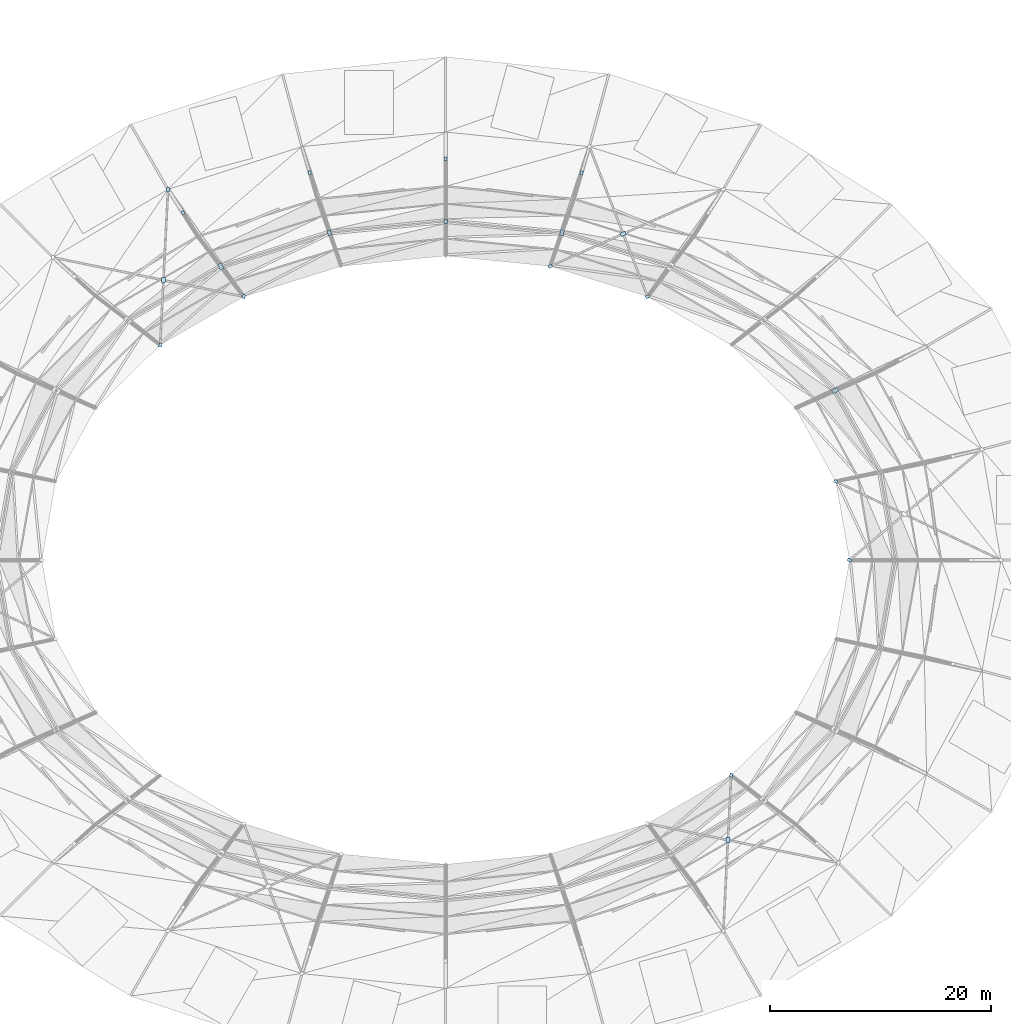
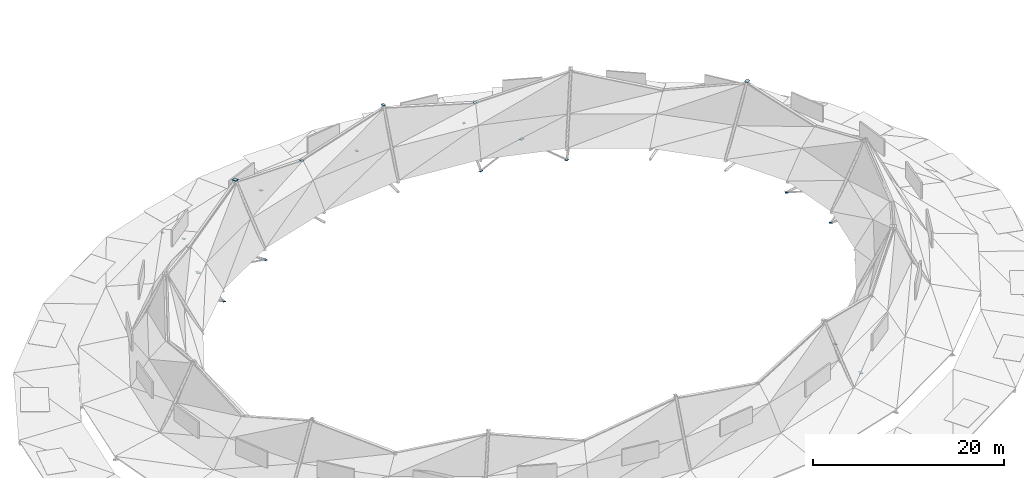
# One storey, part 34 of 36: 20 plates.
"""IFC4 building model written with IfcOpenShell, lengths in metres."""

from ifc_helpers import new_model, si_unit, direction, frame, origin, origin_2d, place, context, subcontext, project, spatial, rectangle, extrude, material, layer, layer_set, type_object, element, save


model = new_model("IFC4")

# Units and contexts
model_context = context("Model", 3, precision=1e-05, world=origin(), true_north=direction((0.0, 1.0)))
body_context = subcontext(model_context, "Body", "Model", "MODEL_VIEW")
ifc_project = project(units=[si_unit("LENGTHUNIT", "METRE"), si_unit("AREAUNIT", "SQUARE_METRE"), si_unit("VOLUMEUNIT", "CUBIC_METRE"), si_unit("PLANEANGLEUNIT", "RADIAN"), si_unit("MASSUNIT", "GRAM", prefix="KILO")], contexts=[model_context])

# Site, building, storey
site_placement = place(None, origin())
site = spatial("IfcSite", under=ifc_project, at=site_placement, CompositionType="ELEMENT")
building_placement = place(site_placement, origin())
building = spatial("IfcBuilding", under=site, at=building_placement, Name="Kildeholm Park Wholesale Market", CompositionType="ELEMENT")
storey_placement = place(building_placement, frame((0.0, 0.0, 17.39990234375)))
storey = spatial("IfcBuildingStorey", under=building, at=storey_placement, Name="Roof", CompositionType="ELEMENT", Elevation=17.39990234375)

# Plates
ifc_material = material(Name="Steel S355", Category="steel")
ifc_layer_1 = layer(ifc_material, 0.02001953125)
ifc_layer_set_1 = layer_set([ifc_layer_1], Name="Steel S355")
plate_type_1 = type_object("IfcPlateType", Name="Steel connection plate EP-01 360x260x20", PredefinedType="SHEET", material=ifc_layer_set_1)
for number, where, z_axis, x_axis, name in (
    (1, (134.256103515625, 96.617919921875, -4.639892578125), (0.0, 0.0, 1.0), (-0.902810575698, 0.430038445267, 0.0), "Brace end connection plate BR-V1-RF-00-2 PLT-0004"),
    (2, (135.5, 89.5, -4.639892578125), (0.0, 0.0, 1.0), (-0.902810575698, 0.430038445267, 0.0), "Brace end connection plate BR-V1-RF-00-4 PLT-0006"),
    (3, (108.447021484375, 116.06298828125, -4.639892578125), (0.0, 0.0, 1.0), (-0.913900054426, -0.405939269498, 0.0), "Brace end connection plate BR-V1-RF-04-2 PLT-0025"),
    (4, (117.25, 113.31591796875, -4.639892578125), (0.0, 0.0, 1.0), (-0.913900054426, -0.405939269498, 0.0), "Brace end connection plate BR-V1-RF-04-4 PLT-0027"),
    (5, (111.2939453125, 124.513916015625, -4.639892578125), (0.0, 0.0, 1.0), (-0.283345893093, -0.959017781309, 0.0), "Truss diagonal end plate V1-05-WB1 PLT-0031"),
    (6, (99.0, 125.75, -4.639892578125), (0.0, 0.0, 1.0), (0.0, -1.0, 0.0), "Truss diagonal end plate V1-06-WB1 PLT-0035"),
    (7, (86.7060546875, 124.513916015625, -4.639892578125), (0.0, 0.0, 1.0), (0.283345893093, -0.959017781309, 0.0), "Truss diagonal end plate V1-07-WB1 PLT-0039"),
    (8, (75.25, 120.89404296875, -4.639892578125), (0.0, 0.0, 1.0), (0.536710679153, -0.843766346142, 0.0), "Truss diagonal end plate V1-08-WB1 PLT-0043"),
    (9, (73.89990234375, 123.014892578125, -4.639892578125), (0.0, 0.0, 1.0), (-0.05024431818, -0.998736956606, 0.0), "Brace end connection plate BR-V1-RF-08-1 PLT-0045"),
    (10, (73.19091796875, 108.945068359375, -4.639892578125), (0.0, 0.0, 1.0), (-0.05024431818, -0.998736956606, 0.0), "Brace end connection plate BR-V1-RF-08-2 PLT-0046"),
    (11, (80.75, 113.31591796875, -4.639892578125), (0.0, 0.0, 1.0), (-0.05024431818, -0.998736956606, 0.0), "Brace end connection plate BR-V1-RF-08-4 PLT-0048"),
    (12, (124.80908203125, 70.054931640625, -4.639892578125), (0.0, 0.0, 1.0), (0.05024431818, 0.998736956606, 0.0), "Brace end connection plate BR-V1-RF-20-2 PLT-0109"),
):
    element("IfcPlate", number, at=place(storey_placement, frame(where, z_axis=z_axis, x_axis=x_axis)), inside=storey, type_object=plate_type_1, Name=name, PredefinedType="SHEET", context=body_context, shape_type="SweptSolid", body=[
        extrude(rectangle(XDim=0.360107421875, YDim=0.260009765625, at=origin_2d()), origin(), (0.0, 0.0, 1.0), 0.02001953125),
    ])
ifc_layer_2 = layer(ifc_material, 0.02392578125)
ifc_layer_set_2 = layer_set([ifc_layer_2], Name="Steel S355")
plate_type_2 = type_object("IfcPlateType", Name="Steel connection plate GP-01 420x300x24", PredefinedType="SHEET", material=ifc_layer_set_2)
plate_1_placement = place(storey_placement, frame((99.0, 120.14990234375, 4.648193359375), z_axis=(0.0, 0.0, 1.0), x_axis=(0.0, 1.0, 0.0)))
element("IfcPlate", 13, at=plate_1_placement, inside=storey, type_object=plate_type_2, Name="Arch crown gusset plate TR-07 PLT-0038", PredefinedType="SHEET", context=body_context, shape_type="SweptSolid", body=[
    extrude(rectangle(XDim=0.419921875, YDim=0.300048828125, at=origin_2d()), origin(), (0.0, 0.0, 1.0), 0.02392578125),
])
ifc_layer_3 = layer(ifc_material, 0.02587890625)
ifc_layer_set_3 = layer_set([ifc_layer_3], Name="Steel S355")
plate_type_3 = type_object("IfcPlateType", Name="Steel connection plate GP-02 480x340x26", PredefinedType="SHEET", material=ifc_layer_set_3)
for number, where, z_axis, x_axis, name in (
    (14, (115.049072265625, 118.9951171875, -4.642822265625), (0.0, 0.0, 1.0), (-0.913900054426, -0.405939269498, 0.0), "X-brace crossing gusset plate BR-V1-RF-04 PLT-0023"),
    (15, (88.47900390625, 119.10595703125, 1.84716796875), (0.0, 0.0, 1.0), (-0.258819045103, 0.965925826289, 0.0), "Arch crown gusset plate TR-08 PLT-0042"),
    (16, (73.486572265625, 114.810546875, -4.642822265625), (0.0, 0.0, 1.0), (-0.05024431818, -0.998736956606, 0.0), "X-brace crossing gusset plate BR-V1-RF-08 PLT-0044"),
    (17, (124.513427734375, 64.189453125, -4.642822265625), (0.0, 0.0, 1.0), (0.05024431818, 0.998736956606, 0.0), "X-brace crossing gusset plate BR-V1-RF-20 PLT-0107"),
):
    element("IfcPlate", number, at=place(storey_placement, frame(where, z_axis=z_axis, x_axis=x_axis)), inside=storey, type_object=plate_type_3, Name=name, PredefinedType="SHEET", context=body_context, shape_type="SweptSolid", body=[
        extrude(rectangle(XDim=0.47998046875, YDim=0.340087890625, at=origin_2d()), origin(), (0.0, 0.0, 1.0), 0.02587890625),
    ])
ifc_layer_4 = layer(ifc_material, 0.031982421875)
ifc_layer_set_4 = layer_set([ifc_layer_4], Name="Steel S355")
plate_type_4 = type_object("IfcPlateType", Name="Steel connection plate GP-03 540x380x32", PredefinedType="SHEET", material=ifc_layer_set_4)
for number, where, z_axis, x_axis, name in (
    (18, (134.2041015625, 104.824951171875, 4.64404296875), (0.0, 0.0, 1.0), (0.866025403784, 0.5, 0.0), "Arch crown gusset plate TR-03 PLT-0017"),
    (19, (78.675048828125, 116.0439453125, 4.64404296875), (0.0, 0.0, 1.0), (-0.5, 0.866025403784, 0.0), "Arch crown gusset plate TR-09 PLT-0051"),
):
    element("IfcPlate", number, at=place(storey_placement, frame(where, z_axis=z_axis, x_axis=x_axis)), inside=storey, type_object=plate_type_4, Name=name, PredefinedType="SHEET", context=body_context, shape_type="SweptSolid", body=[
        extrude(rectangle(XDim=0.5400390625, YDim=0.3798828125, at=origin_2d()), origin(), (0.0, 0.0, 1.0), 0.031982421875),
    ])
ifc_layer_5 = layer(ifc_material, 0.028076171875)
ifc_layer_set_5 = layer_set([ifc_layer_5], Name="Steel S355")
plate_type_5 = type_object("IfcPlateType", Name="Steel connection plate GP-06 500x360x28", PredefinedType="SHEET", material=ifc_layer_set_5)
plate_2_placement = place(storey_placement, frame((109.52099609375, 119.10595703125, 1.84619140625), z_axis=(0.0, 0.0, 1.0), x_axis=(0.258819045103, 0.965925826289, 0.0)))
element("IfcPlate", 20, at=plate_2_placement, inside=storey, type_object=plate_type_5, Name="Arch crown gusset plate TR-06 PLT-0034", PredefinedType="SHEET", context=body_context, shape_type="SweptSolid", body=[
    extrude(rectangle(XDim=0.5, YDim=0.360107421875, at=origin_2d()), origin(), (0.0, 0.0, 1.0), 0.028076171875),
])

save(model, "model.ifc")
